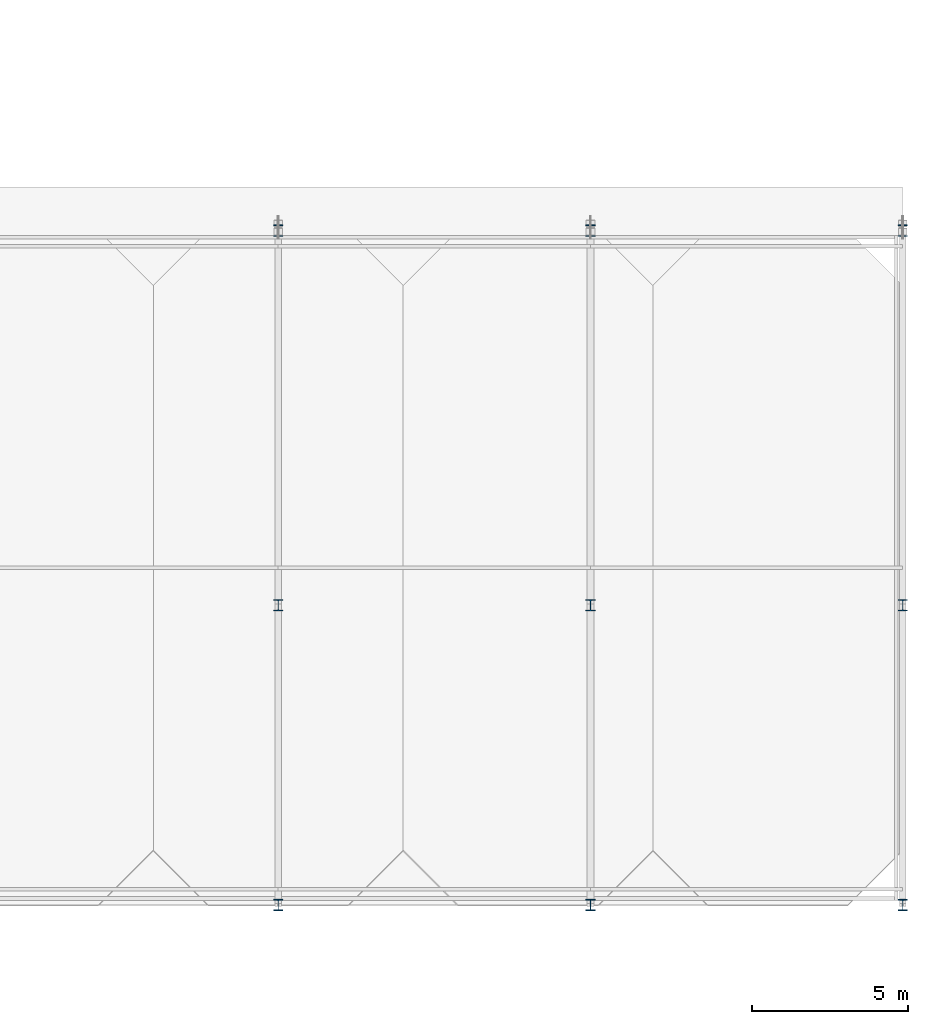
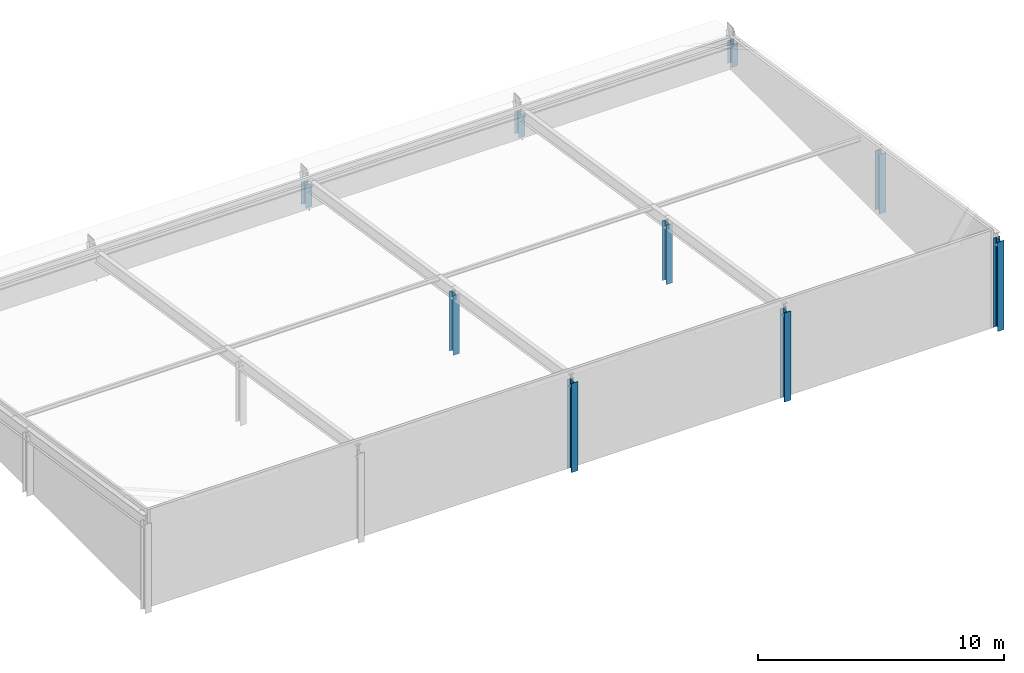
# One storey, part 9 of 89: 9 columns.
"""IFC4 building model written with IfcOpenShell, lengths in metres."""

from ifc_helpers import new_model, si_unit, direction, frame, origin, origin_2d, place, context, subcontext, project, spatial, i_section, extrude, material, material_profile, profile_set, type_object, element, save


model = new_model("IFC4")

# Units and contexts
model_context = context("Model", 3, precision=1e-05, world=origin(), true_north=direction((0.0, 1.0)))
body_context = subcontext(model_context, "Body", "Model", "MODEL_VIEW")
ifc_project = project(units=[si_unit("LENGTHUNIT", "METRE"), si_unit("AREAUNIT", "SQUARE_METRE"), si_unit("VOLUMEUNIT", "CUBIC_METRE"), si_unit("PLANEANGLEUNIT", "RADIAN"), si_unit("MASSUNIT", "GRAM", prefix="KILO")], contexts=[model_context])

# Site, building, storey
site_placement = place(None, origin())
site = spatial("IfcSite", under=ifc_project, at=site_placement, CompositionType="ELEMENT")
building_placement = place(site_placement, origin())
building = spatial("IfcBuilding", under=site, at=building_placement, Name="Zereglee Splitstone Museum", CompositionType="ELEMENT")
storey_placement = place(building_placement, frame((0.0, 0.0, 21.300048828125)))
storey = spatial("IfcBuildingStorey", under=building, at=storey_placement, Name="L04", CompositionType="ELEMENT", Elevation=21.300048828125)

# Columns
ifc_material = material(Name="Steel S355J2", Category="steel")
ifc_material_profile = material_profile(ifc_material, i_section(OverallWidth=0.300048828125, OverallDepth=0.360107421875, WebThickness=0.012451171875, FlangeThickness=0.0224609375, FilletRadius=0.027099609375, at=origin_2d()), Name="HE 360 B")
ifc_profile_set = profile_set([ifc_material_profile], Name="Steel S355J2")
column_type = type_object("IfcColumnType", Name="C-16", PredefinedType="COLUMN", material=ifc_profile_set)
column_1_placement = place(storey_placement, frame((195.199951171875, 0.0, 0.0), z_axis=(0.0, 0.0, 1.0), x_axis=(1.0, 0.0, 0.0)))
element("IfcColumn", 1, at=column_1_placement, inside=storey, type_object=column_type, Name="Roof Support Column RF-V3 (195.2,0.0)", PredefinedType="COLUMN", context=body_context, shape_type="SweptSolid", body=[
    extrude(i_section(OverallWidth=0.300048828125, OverallDepth=0.360107421875, WebThickness=0.012451171875, FlangeThickness=0.0224609375, FilletRadius=0.027099609375, at=origin_2d()), origin(), (0.0, 0.0, 1.0), 4.423828125),
])
column_2_placement = place(storey_placement, frame((195.199951171875, 9.60009765625, 0.0), z_axis=(0.0, 0.0, 1.0), x_axis=(1.0, 0.0, 0.0)))
element("IfcColumn", 2, at=column_2_placement, inside=storey, type_object=column_type, Name="Roof Support Column RF-V3 (195.2,9.6)", PredefinedType="COLUMN", context=body_context, shape_type="SweptSolid", body=[
    extrude(i_section(OverallWidth=0.300048828125, OverallDepth=0.360107421875, WebThickness=0.012451171875, FlangeThickness=0.0224609375, FilletRadius=0.027099609375, at=origin_2d()), origin(), (0.0, 0.0, 1.0), 2.957275390625),
])
column_3_placement = place(storey_placement, frame((195.199951171875, 21.60009765625, 0.0), z_axis=(0.0, 0.0, 1.0), x_axis=(1.0, 0.0, 0.0)))
element("IfcColumn", 3, at=column_3_placement, inside=storey, type_object=column_type, Name="Roof Support Column RF-V3 (195.2,21.6)", PredefinedType="COLUMN", context=body_context, shape_type="SweptSolid", body=[
    extrude(i_section(OverallWidth=0.300048828125, OverallDepth=0.360107421875, WebThickness=0.012451171875, FlangeThickness=0.0224609375, FilletRadius=0.027099609375, at=origin_2d()), origin(), (0.0, 0.0, 1.0), 1.1240234375),
])
column_4_placement = place(storey_placement, frame((205.199951171875, 0.0, 0.0), z_axis=(0.0, 0.0, 1.0), x_axis=(1.0, 0.0, 0.0)))
element("IfcColumn", 4, at=column_4_placement, inside=storey, type_object=column_type, Name="Roof Support Column RF-V3 (205.2,0.0)", PredefinedType="COLUMN", context=body_context, shape_type="SweptSolid", body=[
    extrude(i_section(OverallWidth=0.300048828125, OverallDepth=0.360107421875, WebThickness=0.012451171875, FlangeThickness=0.0224609375, FilletRadius=0.027099609375, at=origin_2d()), origin(), (0.0, 0.0, 1.0), 4.423828125),
])
column_5_placement = place(storey_placement, frame((205.199951171875, 9.60009765625, 0.0), z_axis=(0.0, 0.0, 1.0), x_axis=(1.0, 0.0, 0.0)))
element("IfcColumn", 5, at=column_5_placement, inside=storey, type_object=column_type, Name="Roof Support Column RF-V3 (205.2,9.6)", PredefinedType="COLUMN", context=body_context, shape_type="SweptSolid", body=[
    extrude(i_section(OverallWidth=0.300048828125, OverallDepth=0.360107421875, WebThickness=0.012451171875, FlangeThickness=0.0224609375, FilletRadius=0.027099609375, at=origin_2d()), origin(), (0.0, 0.0, 1.0), 2.957275390625),
])
column_6_placement = place(storey_placement, frame((205.199951171875, 21.60009765625, 0.0), z_axis=(0.0, 0.0, 1.0), x_axis=(1.0, 0.0, 0.0)))
element("IfcColumn", 6, at=column_6_placement, inside=storey, type_object=column_type, Name="Roof Support Column RF-V3 (205.2,21.6)", PredefinedType="COLUMN", context=body_context, shape_type="SweptSolid", body=[
    extrude(i_section(OverallWidth=0.300048828125, OverallDepth=0.360107421875, WebThickness=0.012451171875, FlangeThickness=0.0224609375, FilletRadius=0.027099609375, at=origin_2d()), origin(), (0.0, 0.0, 1.0), 1.1240234375),
])
column_7_placement = place(storey_placement, frame((215.199951171875, 0.0, 0.0), z_axis=(0.0, 0.0, 1.0), x_axis=(1.0, 0.0, 0.0)))
element("IfcColumn", 7, at=column_7_placement, inside=storey, type_object=column_type, Name="Roof Support Column RF-V3 (215.2,0.0)", PredefinedType="COLUMN", context=body_context, shape_type="SweptSolid", body=[
    extrude(i_section(OverallWidth=0.300048828125, OverallDepth=0.360107421875, WebThickness=0.012451171875, FlangeThickness=0.0224609375, FilletRadius=0.027099609375, at=origin_2d()), origin(), (0.0, 0.0, 1.0), 4.423828125),
])
column_8_placement = place(storey_placement, frame((215.199951171875, 9.60009765625, 0.0), z_axis=(0.0, 0.0, 1.0), x_axis=(1.0, 0.0, 0.0)))
element("IfcColumn", 8, at=column_8_placement, inside=storey, type_object=column_type, Name="Roof Support Column RF-V3 (215.2,9.6)", PredefinedType="COLUMN", context=body_context, shape_type="SweptSolid", body=[
    extrude(i_section(OverallWidth=0.300048828125, OverallDepth=0.360107421875, WebThickness=0.012451171875, FlangeThickness=0.0224609375, FilletRadius=0.027099609375, at=origin_2d()), origin(), (0.0, 0.0, 1.0), 2.957275390625),
])
column_9_placement = place(storey_placement, frame((215.199951171875, 21.60009765625, 0.0), z_axis=(0.0, 0.0, 1.0), x_axis=(1.0, 0.0, 0.0)))
element("IfcColumn", 9, at=column_9_placement, inside=storey, type_object=column_type, Name="Roof Support Column RF-V3 (215.2,21.6)", PredefinedType="COLUMN", context=body_context, shape_type="SweptSolid", body=[
    extrude(i_section(OverallWidth=0.300048828125, OverallDepth=0.360107421875, WebThickness=0.012451171875, FlangeThickness=0.0224609375, FilletRadius=0.027099609375, at=origin_2d()), origin(), (0.0, 0.0, 1.0), 1.1240234375),
])

save(model, "model.ifc")
